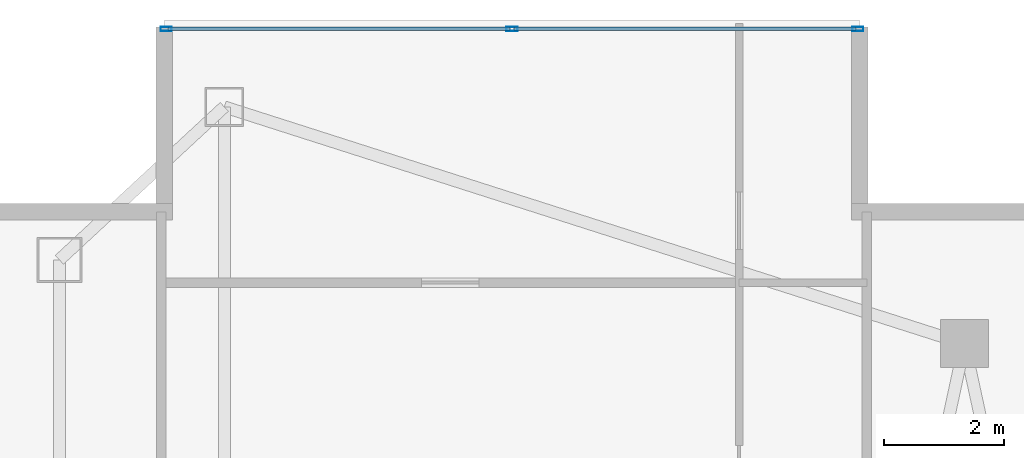
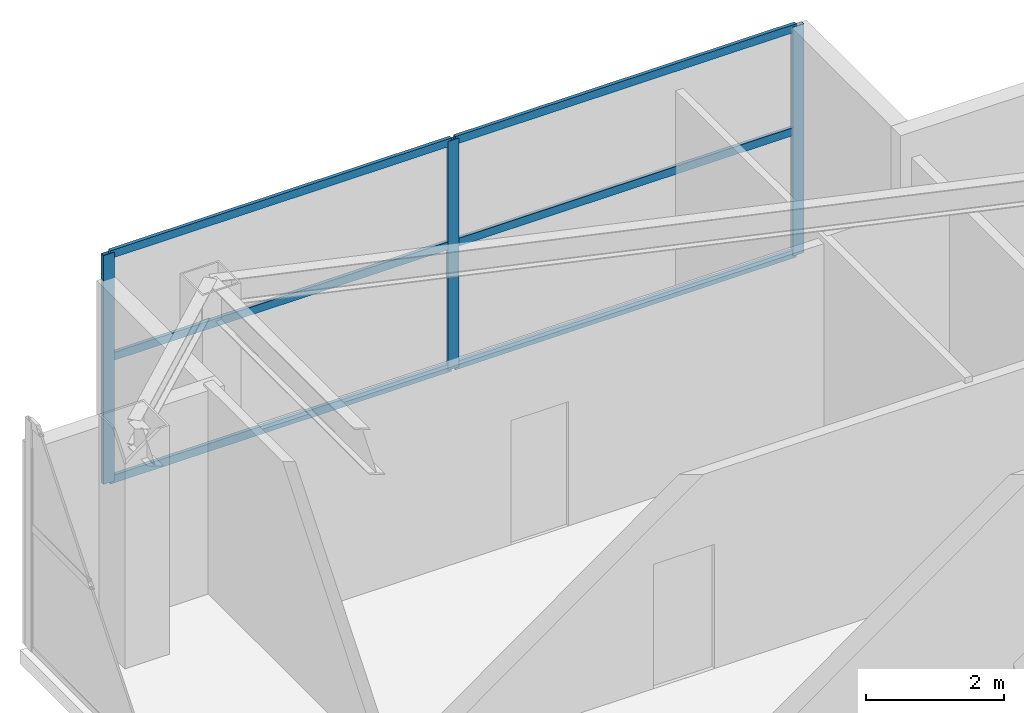
# One storey, part 19 of 27: 9 members, 1 element without a shape of its own.
"""IFC4 building model written with IfcOpenShell, lengths in metres."""

from ifc_helpers import new_model, si_unit, direction, frame, origin, origin_2d, place, context, subcontext, project, spatial, hollow_rectangle, extrude, material, layer, layer_set, material_profile, profile_set, type_object, element, aggregate, save


model = new_model("IFC4")

# Units and contexts
model_context = context("Model", 3, precision=1e-05, world=origin(), true_north=direction((0.0, 1.0)))
body_context = subcontext(model_context, "Body", "Model", "MODEL_VIEW")
ifc_project = project(units=[si_unit("LENGTHUNIT", "METRE"), si_unit("AREAUNIT", "SQUARE_METRE"), si_unit("VOLUMEUNIT", "CUBIC_METRE"), si_unit("PLANEANGLEUNIT", "RADIAN"), si_unit("MASSUNIT", "GRAM", prefix="KILO")], contexts=[model_context])

# Site, building, storey
site_placement = place(None, origin())
site = spatial("IfcSite", under=ifc_project, at=site_placement, CompositionType="ELEMENT")
building_placement = place(site_placement, origin())
building = spatial("IfcBuilding", under=site, at=building_placement, Name="Calvorn Quay Hotel", CompositionType="ELEMENT")
storey_placement = place(building_placement, frame((0.0, 0.0, 239.300048828125)))
storey = spatial("IfcBuildingStorey", under=building, at=storey_placement, Name="L59", CompositionType="ELEMENT", Elevation=239.300048828125)

# Curtain wall, members
ifc_material_1 = material(Name="Champagne Bronze Anodised Aluminium and Low-E Glass", Category="aluminium")
ifc_layer = layer(ifc_material_1, 0.219970703125)
ifc_layer_set = layer_set([ifc_layer], Name="CW-SYS-Z3")
curtain_wall_type = type_object("IfcCurtainWallType", Name="CW-SYS-Z3", PredefinedType="NOTDEFINED", material=ifc_layer_set)
curtain_wall_placement = place(storey_placement, origin())
curtain_wall = element("IfcCurtainWall", 1, at=curtain_wall_placement, inside=storey, type_object=curtain_wall_type, Name="Inner Court Curtain Wall L59-N1", PredefinedType="NOTDEFINED")
ifc_material_2 = material(Name="Champagne Bronze Anodised Aluminium 6063-T6", Category="aluminium")
ifc_material_profile_1 = material_profile(ifc_material_2, hollow_rectangle(XDim=0.068115234375, YDim=0.18505859375, WallThickness=0.00390625, at=origin_2d()), Name="ALU-M185x68x4")
ifc_profile_set_1 = profile_set([ifc_material_profile_1], Name="Champagne Bronze Anodised Aluminium 6063-T6")
member_type_1 = type_object("IfcMemberType", Name="CW-SYS-Z3-MUL", PredefinedType="MULLION", material=ifc_profile_set_1)
member_1_placement = place(storey_placement, frame((14.77001953125, 50.85009765625, 0.0), z_axis=(0.0, 0.0, 1.0), x_axis=(0.0, -1.0, 0.0)))
member_1 = element("IfcMember", 2, at=member_1_placement, type_object=member_type_1, Name="CW-L59-N1 mullion 1", PredefinedType="MULLION", context=body_context, shape_type="SweptSolid", body=[
    extrude(hollow_rectangle(XDim=0.068115234375, YDim=0.18505859375, WallThickness=0.00390625, at=origin_2d()), origin(), (0.0, 0.0, 1.0), 4.050048828125),
])
member_2_placement = place(storey_placement, frame((9.0, 50.85009765625, 0.0), z_axis=(0.0, 0.0, 1.0), x_axis=(0.0, -1.0, 0.0)))
member_2 = element("IfcMember", 3, at=member_2_placement, type_object=member_type_1, Name="CW-L59-N1 mullion 2", PredefinedType="MULLION", context=body_context, shape_type="SweptSolid", body=[
    extrude(hollow_rectangle(XDim=0.068115234375, YDim=0.18505859375, WallThickness=0.00390625, at=origin_2d()), origin(), (0.0, 0.0, 1.0), 4.050048828125),
])
member_3_placement = place(storey_placement, frame((3.22998046875, 50.85009765625, 0.0), z_axis=(0.0, 0.0, 1.0), x_axis=(0.0, -1.0, 0.0)))
member_3 = element("IfcMember", 4, at=member_3_placement, type_object=member_type_1, Name="CW-L59-N1 mullion 3", PredefinedType="MULLION", context=body_context, shape_type="SweptSolid", body=[
    extrude(hollow_rectangle(XDim=0.068115234375, YDim=0.18505859375, WallThickness=0.00390625, at=origin_2d()), origin(), (0.0, 0.0, 1.0), 4.050048828125),
])
ifc_material_3 = material(Name="Champagne Bronze Anodised Aluminium 6063-T6", Category="aluminium")
ifc_material_profile_2 = material_profile(ifc_material_3, hollow_rectangle(XDim=0.05810546875, YDim=0.139892578125, WallThickness=0.003173828125, at=origin_2d()), Name="ALU-T140x58x3.2")
ifc_profile_set_2 = profile_set([ifc_material_profile_2], Name="Champagne Bronze Anodised Aluminium 6063-T6")
member_type_2 = type_object("IfcMemberType", Name="CW-SYS-Z3-TRN", PredefinedType="USERDEFINED", material=ifc_profile_set_2)
member_4_placement = place(storey_placement, frame((14.739990234375, 50.85009765625, 0.030029296875), z_axis=(-1.0, 0.0, 0.0), x_axis=(0.0, -1.0, 0.0)))
member_4 = element("IfcMember", 5, at=member_4_placement, type_object=member_type_2, Name="CW-L59-N1 transom 1.1", ObjectType="TRANSOM", PredefinedType="USERDEFINED", context=body_context, shape_type="SweptSolid", body=[
    extrude(hollow_rectangle(XDim=0.05810546875, YDim=0.139892578125, WallThickness=0.003173828125, at=origin_2d()), origin(), (0.0, 0.0, 1.0), 5.7099609375),
])
member_5_placement = place(storey_placement, frame((14.739990234375, 50.85009765625, 2.199951171875), z_axis=(-1.0, 0.0, 0.0), x_axis=(0.0, -1.0, 0.0)))
member_5 = element("IfcMember", 6, at=member_5_placement, type_object=member_type_2, Name="CW-L59-N1 transom 1.2", ObjectType="TRANSOM", PredefinedType="USERDEFINED", context=body_context, shape_type="SweptSolid", body=[
    extrude(hollow_rectangle(XDim=0.05810546875, YDim=0.139892578125, WallThickness=0.003173828125, at=origin_2d()), origin(), (0.0, 0.0, 1.0), 5.7099609375),
])
member_6_placement = place(storey_placement, frame((14.739990234375, 50.85009765625, 4.02001953125), z_axis=(-1.0, 0.0, 0.0), x_axis=(0.0, -1.0, 0.0)))
member_6 = element("IfcMember", 7, at=member_6_placement, type_object=member_type_2, Name="CW-L59-N1 transom 1.3", ObjectType="TRANSOM", PredefinedType="USERDEFINED", context=body_context, shape_type="SweptSolid", body=[
    extrude(hollow_rectangle(XDim=0.05810546875, YDim=0.139892578125, WallThickness=0.003173828125, at=origin_2d()), origin(), (0.0, 0.0, 1.0), 5.7099609375),
])
member_7_placement = place(storey_placement, frame((8.969970703125, 50.85009765625, 0.030029296875), z_axis=(-1.0, 0.0, 0.0), x_axis=(0.0, -1.0, 0.0)))
member_7 = element("IfcMember", 8, at=member_7_placement, type_object=member_type_2, Name="CW-L59-N1 transom 2.1", ObjectType="TRANSOM", PredefinedType="USERDEFINED", context=body_context, shape_type="SweptSolid", body=[
    extrude(hollow_rectangle(XDim=0.05810546875, YDim=0.139892578125, WallThickness=0.003173828125, at=origin_2d()), origin(), (0.0, 0.0, 1.0), 5.7099609375),
])
member_8_placement = place(storey_placement, frame((8.969970703125, 50.85009765625, 2.199951171875), z_axis=(-1.0, 0.0, 0.0), x_axis=(0.0, -1.0, 0.0)))
member_8 = element("IfcMember", 9, at=member_8_placement, type_object=member_type_2, Name="CW-L59-N1 transom 2.2", ObjectType="TRANSOM", PredefinedType="USERDEFINED", context=body_context, shape_type="SweptSolid", body=[
    extrude(hollow_rectangle(XDim=0.05810546875, YDim=0.139892578125, WallThickness=0.003173828125, at=origin_2d()), origin(), (0.0, 0.0, 1.0), 5.7099609375),
])
member_9_placement = place(storey_placement, frame((8.969970703125, 50.85009765625, 4.02001953125), z_axis=(-1.0, 0.0, 0.0), x_axis=(0.0, -1.0, 0.0)))
member_9 = element("IfcMember", 10, at=member_9_placement, type_object=member_type_2, Name="CW-L59-N1 transom 2.3", ObjectType="TRANSOM", PredefinedType="USERDEFINED", context=body_context, shape_type="SweptSolid", body=[
    extrude(hollow_rectangle(XDim=0.05810546875, YDim=0.139892578125, WallThickness=0.003173828125, at=origin_2d()), origin(), (0.0, 0.0, 1.0), 5.7099609375),
])
aggregate(curtain_wall, [member_1, member_2, member_3, member_4, member_5, member_6, member_7, member_8, member_9])

save(model, "model.ifc")
